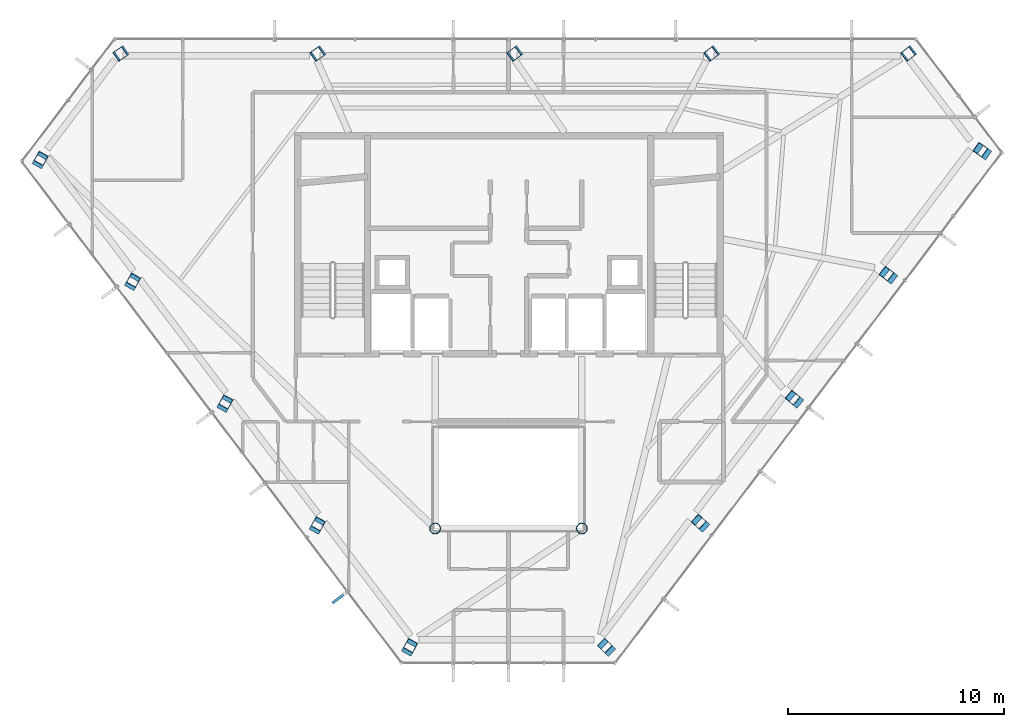
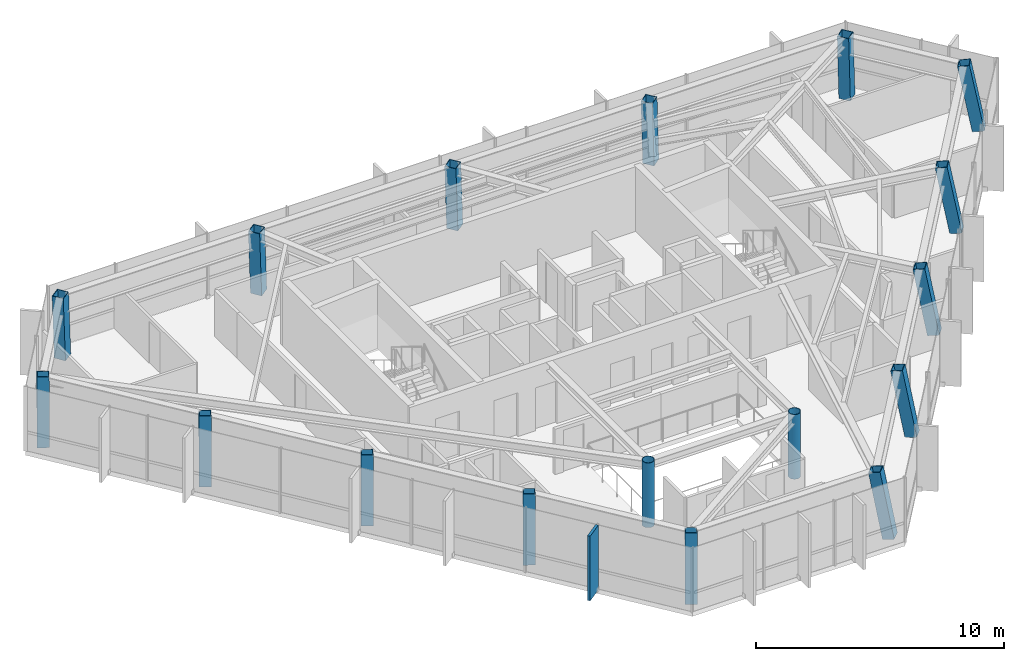
# One storey, part 1 of 26: 17 columns, 1 member, 1 element without a shape of its own.
"""IFC4 building model written with IfcOpenShell, lengths in metres."""

from ifc_helpers import new_model, si_unit, direction, frame, origin, origin_2d, place, context, subcontext, project, spatial, rectangle, hollow_rectangle, hollow_circle, extrude, material, layer, layer_set, material_profile, profile_set, type_object, element, aggregate, save


model = new_model("IFC4")

# Units and contexts
model_context = context("Model", 3, precision=1e-05, world=origin(), true_north=direction((0.0, 1.0)))
body_context = subcontext(model_context, "Body", "Model", "MODEL_VIEW")
ifc_project = project(units=[si_unit("LENGTHUNIT", "METRE"), si_unit("AREAUNIT", "SQUARE_METRE"), si_unit("VOLUMEUNIT", "CUBIC_METRE"), si_unit("PLANEANGLEUNIT", "RADIAN"), si_unit("MASSUNIT", "GRAM", prefix="KILO")], contexts=[model_context])

# Site, building, storey
site_placement = place(None, origin())
site = spatial("IfcSite", under=ifc_project, at=site_placement, CompositionType="ELEMENT")
building_placement = place(site_placement, origin())
building = spatial("IfcBuilding", under=site, at=building_placement, Name="Zarrinselat Tower", CompositionType="ELEMENT")
storey_placement = place(building_placement, frame((0.0, 0.0, 265.199951171875)))
storey = spatial("IfcBuildingStorey", under=building, at=storey_placement, Name="L67", CompositionType="ELEMENT", Elevation=265.199951171875)

# Columns
ifc_material_1 = material(Name="Steel S355J2", Category="steel")
ifc_material_profile_1 = material_profile(ifc_material_1, hollow_circle(Radius=0.25390625, WallThickness=0.02001953125, at=origin_2d()), Name="CHS 508x20")
ifc_profile_set_1 = profile_set([ifc_material_profile_1], Name="Steel S355J2")
column_type_1 = type_object("IfcColumnType", Name="COL-CHS508", PredefinedType="COLUMN", material=ifc_profile_set_1)
for number, where, z_axis, x_axis, name in (
    (1, (35.0, 25.199951171875, 0.0), (0.0, 0.0, 1.0), (1.0, 0.0, 0.0), "L67 Atrium Corner Column 1"),
    (2, (41.800048828125, 25.199951171875, 0.0), (0.0, 0.0, 1.0), (1.0, 0.0, 0.0), "L67 Atrium Corner Column 2"),
):
    element("IfcColumn", number, at=place(storey_placement, frame(where, z_axis=z_axis, x_axis=x_axis)), inside=storey, type_object=column_type_1, Name=name, PredefinedType="COLUMN", context=body_context, shape_type="SweptSolid", body=[
        extrude(hollow_circle(Radius=0.25390625, WallThickness=0.02001953125, at=origin_2d()), origin(), (0.0, 0.0, 1.0), 3.179931640625),
    ])
ifc_material_2 = material(Name="Steel S355J2", Category="steel")
ifc_material_profile_2 = material_profile(ifc_material_2, hollow_rectangle(XDim=0.5, YDim=0.5, WallThickness=0.02490234375, at=origin_2d()), Name="SHS 500x500x25")
ifc_profile_set_2 = profile_set([ifc_material_profile_2], Name="Steel S355J2")
column_type_2 = type_object("IfcColumnType", Name="COL-SHS500", PredefinedType="COLUMN", material=ifc_profile_set_2)
column_1_placement = place(storey_placement, frame((56.95166015625, 47.216796875, 0.0), z_axis=(-0.046444439461, -0.036634392842, 0.998248884449), x_axis=(0.619308165543, -0.785148009035, 0.0)))
element("IfcColumn", 3, at=column_1_placement, inside=storey, type_object=column_type_2, Name="L67 Framed-Tube Column T01", PredefinedType="COLUMN", context=body_context, shape_type="SweptSolid", body=[
    extrude(hollow_rectangle(XDim=0.5, YDim=0.5, WallThickness=0.02490234375, at=origin_2d()), origin(), (0.0, 0.0, 1.0), 3.185546875),
])
column_2_placement = place(storey_placement, frame((47.832763671875, 47.216796875, 0.0), z_axis=(-0.048126704161, -0.036631472275, 0.998169302065), x_axis=(0.605661387148, -0.795722491902, 0.0)))
element("IfcColumn", 4, at=column_2_placement, inside=storey, type_object=column_type_2, Name="L67 Framed-Tube Column T02", PredefinedType="COLUMN", context=body_context, shape_type="SweptSolid", body=[
    extrude(hollow_rectangle(XDim=0.5, YDim=0.5, WallThickness=0.02490234375, at=origin_2d()), origin(), (0.0, 0.0, 1.0), 3.185791015625),
])
column_3_placement = place(storey_placement, frame((38.7138671875, 47.216796875, 0.0), z_axis=(-0.049732120532, -0.036628588003, 0.998090708667), x_axis=(0.593029744419, -0.805180552569, 0.0)))
element("IfcColumn", 5, at=column_3_placement, inside=storey, type_object=column_type_2, Name="L67 Framed-Tube Column T03", PredefinedType="COLUMN", context=body_context, shape_type="SweptSolid", body=[
    extrude(hollow_rectangle(XDim=0.5, YDim=0.5, WallThickness=0.02490234375, at=origin_2d()), origin(), (0.0, 0.0, 1.0), 3.18603515625),
])
column_4_placement = place(storey_placement, frame((29.59521484375, 47.216796875, 0.0), z_axis=(-0.051413571733, -0.036625465407, 0.998005621189), x_axis=(0.580204340618, -0.814470946767, 0.0)))
element("IfcColumn", 6, at=column_4_placement, inside=storey, type_object=column_type_2, Name="L67 Framed-Tube Column T04", PredefinedType="COLUMN", context=body_context, shape_type="SweptSolid", body=[
    extrude(hollow_rectangle(XDim=0.5, YDim=0.5, WallThickness=0.02490234375, at=origin_2d()), origin(), (0.0, 0.0, 1.0), 3.186279296875),
])
column_5_placement = place(storey_placement, frame((20.476318359375, 47.216796875, 0.0), z_axis=(-0.05309458581, -0.036622239563, 0.997917720319), x_axis=(0.567788470093, -0.823174497436, 0.0)))
element("IfcColumn", 7, at=column_5_placement, inside=storey, type_object=column_type_2, Name="L67 Framed-Tube Column T05", PredefinedType="COLUMN", context=body_context, shape_type="SweptSolid", body=[
    extrude(hollow_rectangle(XDim=0.5, YDim=0.5, WallThickness=0.02490234375, at=origin_2d()), origin(), (0.0, 0.0, 1.0), 3.1865234375),
])
column_6_placement = place(storey_placement, frame((16.675537109375, 42.199462890625, 0.0), z_axis=(0.067003383853, 0.119252333578, 0.990600538809), x_axis=(-0.871813014788, 0.48983881762, 0.0)))
element("IfcColumn", 8, at=column_6_placement, inside=storey, type_object=column_type_2, Name="L67 Framed-Tube Column T06", PredefinedType="COLUMN", context=body_context, shape_type="SweptSolid", body=[
    extrude(hollow_rectangle(XDim=0.5, YDim=0.5, WallThickness=0.02490234375, at=origin_2d()), origin(), (0.0, 0.0, 1.0), 3.210205078125),
])
column_7_placement = place(storey_placement, frame((20.95166015625, 36.554931640625, 0.0), z_axis=(0.068268420053, 0.121864451387, 0.990196181729), x_axis=(-0.872431759919, 0.488735945357, 0.0)))
element("IfcColumn", 9, at=column_7_placement, inside=storey, type_object=column_type_2, Name="L67 Framed-Tube Column T07", PredefinedType="COLUMN", context=body_context, shape_type="SweptSolid", body=[
    extrude(hollow_rectangle(XDim=0.5, YDim=0.5, WallThickness=0.02490234375, at=origin_2d()), origin(), (0.0, 0.0, 1.0), 3.21142578125),
])
column_8_placement = place(storey_placement, frame((25.227783203125, 30.910400390625, 0.0), z_axis=(0.069456860096, 0.124399212229, 0.989798252465), x_axis=(-0.873123790234, 0.487498560949, 0.0)))
element("IfcColumn", 10, at=column_8_placement, inside=storey, type_object=column_type_2, Name="L67 Framed-Tube Column T08", PredefinedType="COLUMN", context=body_context, shape_type="SweptSolid", body=[
    extrude(hollow_rectangle(XDim=0.5, YDim=0.5, WallThickness=0.02490234375, at=origin_2d()), origin(), (0.0, 0.0, 1.0), 3.212646484375),
])
column_9_placement = place(storey_placement, frame((29.504150390625, 25.265625, 0.0), z_axis=(0.070566836985, 0.127081074571, 0.989378957732), x_axis=(-0.874255855795, 0.485465445328, 0.0)))
element("IfcColumn", 11, at=column_9_placement, inside=storey, type_object=column_type_2, Name="L67 Framed-Tube Column T09", PredefinedType="COLUMN", context=body_context, shape_type="SweptSolid", body=[
    extrude(hollow_rectangle(XDim=0.5, YDim=0.5, WallThickness=0.02490234375, at=origin_2d()), origin(), (0.0, 0.0, 1.0), 3.214111328125),
])
column_10_placement = place(storey_placement, frame((33.7802734375, 19.62109375, 0.0), z_axis=(0.071751501429, 0.129684195175, 0.988955879483), x_axis=(-0.875001722309, 0.484119805376, 0.0)))
element("IfcColumn", 12, at=column_10_placement, inside=storey, type_object=column_type_2, Name="L67 Framed-Tube Column T10", PredefinedType="COLUMN", context=body_context, shape_type="SweptSolid", body=[
    extrude(hollow_rectangle(XDim=0.5, YDim=0.5, WallThickness=0.02490234375, at=origin_2d()), origin(), (0.0, 0.0, 1.0), 3.21533203125),
])
column_11_placement = place(storey_placement, frame((43.019775390625, 19.62109375, 0.0), z_axis=(-0.128637114564, 0.128939079622, 0.983273719014), x_axis=(-0.70793525928, -0.706277331272, 0.0)))
element("IfcColumn", 13, at=column_11_placement, inside=storey, type_object=column_type_2, Name="L67 Framed-Tube Column T11", PredefinedType="COLUMN", context=body_context, shape_type="SweptSolid", body=[
    extrude(hollow_rectangle(XDim=0.5, YDim=0.5, WallThickness=0.02490234375, at=origin_2d()), origin(), (0.0, 0.0, 1.0), 3.234130859375),
])
column_12_placement = place(storey_placement, frame((47.37451171875, 25.369384765625, 0.0), z_axis=(-0.134803662972, 0.123859356628, 0.983100621618), x_axis=(-0.676582996942, -0.736366381803, 0.0)))
element("IfcColumn", 14, at=column_12_placement, inside=storey, type_object=column_type_2, Name="L67 Framed-Tube Column T12", PredefinedType="COLUMN", context=body_context, shape_type="SweptSolid", body=[
    extrude(hollow_rectangle(XDim=0.5, YDim=0.5, WallThickness=0.02490234375, at=origin_2d()), origin(), (0.0, 0.0, 1.0), 3.234619140625),
])
column_13_placement = place(storey_placement, frame((51.72900390625, 31.117431640625, 0.0), z_axis=(-0.140882555326, 0.118923892445, 0.982857677088), x_axis=(-0.645042764465, -0.764146472878, 0.0)))
element("IfcColumn", 15, at=column_13_placement, inside=storey, type_object=column_type_2, Name="L67 Framed-Tube Column T13", PredefinedType="COLUMN", context=body_context, shape_type="SweptSolid", body=[
    extrude(hollow_rectangle(XDim=0.5, YDim=0.5, WallThickness=0.02490234375, at=origin_2d()), origin(), (0.0, 0.0, 1.0), 3.2353515625),
])
column_14_placement = place(storey_placement, frame((56.083740234375, 36.86572265625, 0.0), z_axis=(-0.147024502141, 0.113908157123, 0.982552150021), x_axis=(-0.612451293776, -0.790508325543, 0.0)))
element("IfcColumn", 16, at=column_14_placement, inside=storey, type_object=column_type_2, Name="L67 Framed-Tube Column T14", PredefinedType="COLUMN", context=body_context, shape_type="SweptSolid", body=[
    extrude(hollow_rectangle(XDim=0.5, YDim=0.5, WallThickness=0.02490234375, at=origin_2d()), origin(), (0.0, 0.0, 1.0), 3.236328125),
])
column_15_placement = place(storey_placement, frame((60.4384765625, 42.614013671875, 0.0), z_axis=(-0.153152996189, 0.108888688575, 0.982185019871), x_axis=(-0.579452714021, -0.815005860233, 0.0)))
element("IfcColumn", 17, at=column_15_placement, inside=storey, type_object=column_type_2, Name="L67 Framed-Tube Column T15", PredefinedType="COLUMN", context=body_context, shape_type="SweptSolid", body=[
    extrude(hollow_rectangle(XDim=0.5, YDim=0.5, WallThickness=0.02490234375, at=origin_2d()), origin(), (0.0, 0.0, 1.0), 3.237548828125),
])

# Curtain wall, member
ifc_material_3 = material(Name="Extruded Aluminium Alloy EN AW-6063 T6", Category="aluminium")
ifc_layer = layer(ifc_material_3, 0.169921875)
ifc_layer_set = layer_set([ifc_layer], Name="Extruded Aluminium Alloy EN AW-6063 T6")
curtain_wall_type = type_object("IfcCurtainWallType", Name="CWS-RES", PredefinedType="NOTDEFINED", material=ifc_layer_set)
curtain_wall_placement = place(storey_placement, origin())
curtain_wall = element("IfcCurtainWall", 18, at=curtain_wall_placement, inside=storey, type_object=curtain_wall_type, Name="L67 Unitised Curtain Wall CW-L67-E03", PredefinedType="NOTDEFINED")
ifc_material_4 = material(Name="Honed Cream Travertine Stone", Category="masonry")
ifc_material_profile_3 = material_profile(ifc_material_4, rectangle(XDim=0.1201171875, YDim=0.85009765625, at=origin_2d()), Name="FIN 850x120")
ifc_profile_set_3 = profile_set([ifc_material_profile_3], Name="Honed Cream Travertine Stone")
member_type = type_object("IfcMemberType", Name="MEM-STONE-FIN", PredefinedType="USERDEFINED", material=ifc_profile_set_3)
member_placement = place(storey_placement, frame((30.58349609375, 22.002685546875, 0.0), z_axis=(0.0, 0.0, 1.0), x_axis=(-0.603858282603, 0.797091697694, 0.0)))
member = element("IfcMember", 19, at=member_placement, type_object=member_type, Name="L67 Stone Shading Fin CW-L67-E03-09", ObjectType="FIN", PredefinedType="USERDEFINED", context=body_context, shape_type="SweptSolid", body=[
    extrude(rectangle(XDim=0.1201171875, YDim=0.85009765625, at=origin_2d()), origin(), (0.0, 0.0, 1.0), 3.179931640625),
])
aggregate(curtain_wall, [member])

save(model, "model.ifc")
